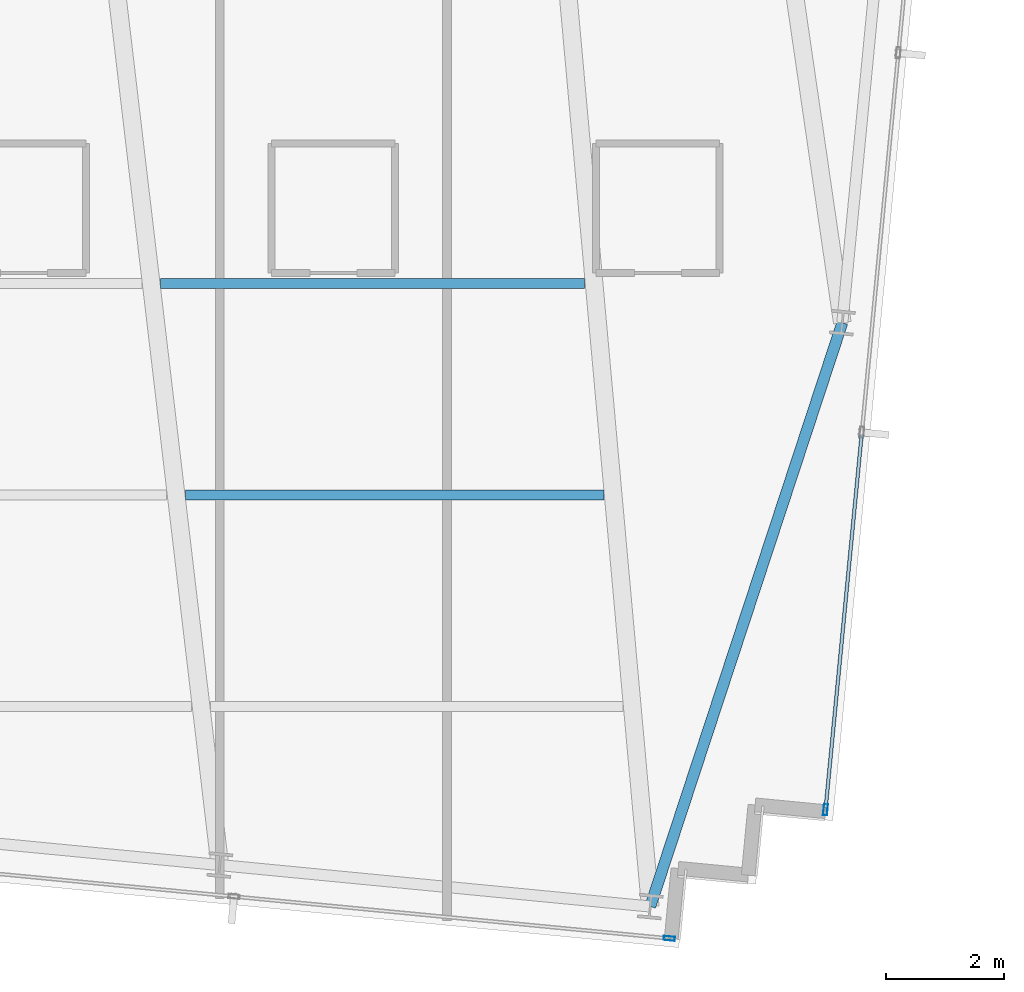
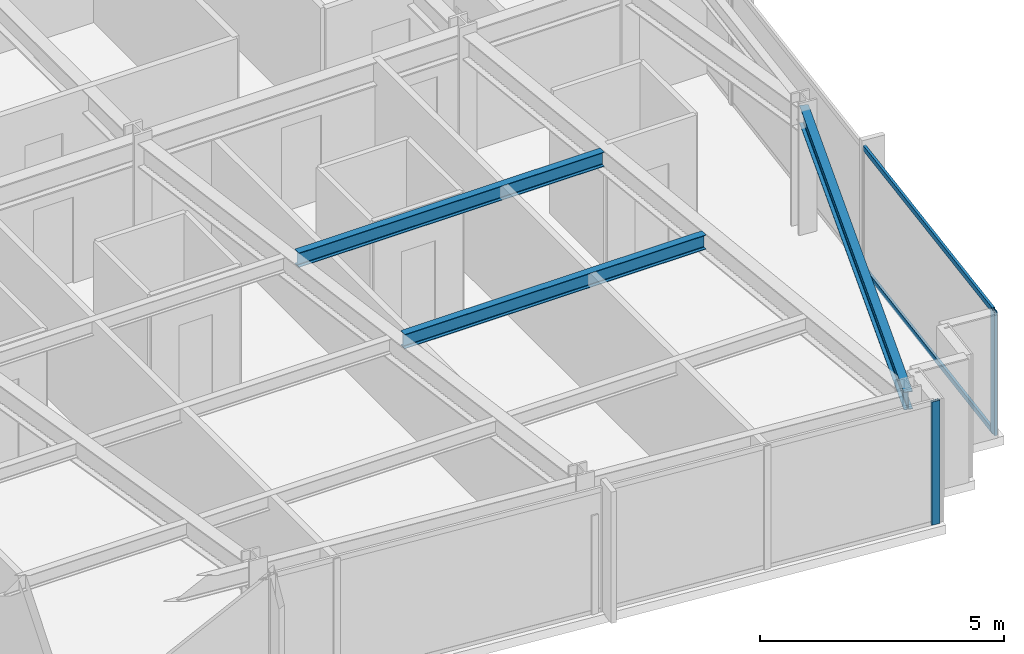
# One storey, part 14 of 38: 4 members, 3 beams, 2 elements without a shape of their own.
"""IFC4 building model written with IfcOpenShell, lengths in metres."""

from ifc_helpers import new_model, si_unit, direction, frame, origin, origin_2d, place, context, subcontext, project, spatial, hollow_rectangle, i_section, extrude, material, material_profile, profile_set, type_object, element, aggregate, save


model = new_model("IFC4")

# Units and contexts
model_context = context("Model", 3, precision=1e-05, world=origin(), true_north=direction((0.0, 1.0)))
body_context = subcontext(model_context, "Body", "Model", "MODEL_VIEW")
ifc_project = project(units=[si_unit("LENGTHUNIT", "METRE"), si_unit("AREAUNIT", "SQUARE_METRE"), si_unit("VOLUMEUNIT", "CUBIC_METRE"), si_unit("PLANEANGLEUNIT", "RADIAN"), si_unit("MASSUNIT", "GRAM", prefix="KILO")], contexts=[model_context])

# Site, building, storey
site_placement = place(None, origin())
site = spatial("IfcSite", under=ifc_project, at=site_placement, CompositionType="ELEMENT")
building_placement = place(site_placement, origin())
building = spatial("IfcBuilding", under=site, at=building_placement, Name="Yelkora Congress Tower", CompositionType="ELEMENT")
storey_placement = place(building_placement, frame((0.0, 0.0, 155.60009765625)))
storey = spatial("IfcBuildingStorey", under=building, at=storey_placement, Name="L42", CompositionType="ELEMENT", Elevation=155.60009765625)

# Beams
ifc_material_1 = material(Name="Steel S355J2", Category="steel")
ifc_material_profile_1 = material_profile(ifc_material_1, i_section(OverallWidth=0.169921875, OverallDepth=0.360107421875, WebThickness=0.008056640625, FlangeThickness=0.0126953125, FilletRadius=0.01806640625, at=origin_2d()), Name="IPE 360")
ifc_profile_set_1 = profile_set([ifc_material_profile_1], Name="Steel S355J2")
beam_type_1 = type_object("IfcBeamType", Name="BM-JOIST-IPE360", PredefinedType="JOIST", material=ifc_profile_set_1)
beam_1_placement = place(storey_placement, frame((47.27587890625, 16.421142578125, 2.89990234375), z_axis=(1.0, 0.0, 0.0), x_axis=(0.0, 1.0, 0.0)))
element("IfcBeam", 1, at=beam_1_placement, inside=storey, type_object=beam_type_1, Name="L42 Composite Floor Joist 11", PredefinedType="JOIST", context=body_context, shape_type="SweptSolid", body=[
    extrude(i_section(OverallWidth=0.169921875, OverallDepth=0.360107421875, WebThickness=0.008056640625, FlangeThickness=0.0126953125, FilletRadius=0.01806640625, at=origin_2d()), origin(), (0.0, 0.0, 1.0), 7.115234375),
])
beam_2_placement = place(storey_placement, frame((46.851318359375, 20.021240234375, 2.89990234375), z_axis=(1.0, 0.0, 0.0), x_axis=(0.0, 1.0, 0.0)))
element("IfcBeam", 2, at=beam_2_placement, inside=storey, type_object=beam_type_1, Name="L42 Composite Floor Joist 18", PredefinedType="JOIST", context=body_context, shape_type="SweptSolid", body=[
    extrude(i_section(OverallWidth=0.169921875, OverallDepth=0.360107421875, WebThickness=0.008056640625, FlangeThickness=0.0126953125, FilletRadius=0.01806640625, at=origin_2d()), origin(), (0.0, 0.0, 1.0), 7.215576171875),
])
ifc_material_profile_2 = material_profile(ifc_material_1, i_section(OverallWidth=0.18994140625, OverallDepth=0.449951171875, WebThickness=0.009521484375, FlangeThickness=0.0146484375, FilletRadius=0.02099609375, at=origin_2d()), Name="IPE 450")
ifc_profile_set_2 = profile_set([ifc_material_profile_2], Name="Steel S355J2")
beam_type_2 = type_object("IfcBeamType", Name="BM-SPAN-IPE450", PredefinedType="SPANDREL", material=ifc_profile_set_2)
beam_3_placement = place(storey_placement, frame((55.18212890625, 9.421142578125, 2.85498046875), z_axis=(0.312456737339, 0.949931990877, 0.0), x_axis=(-0.949931990877, 0.312456737339, 0.0)))
element("IfcBeam", 3, at=beam_3_placement, inside=storey, type_object=beam_type_2, Name="L42 Perimeter Beam 9", PredefinedType="SPANDREL", context=body_context, shape_type="SweptSolid", body=[
    extrude(i_section(OverallWidth=0.18994140625, OverallDepth=0.449951171875, WebThickness=0.009521484375, FlangeThickness=0.0146484375, FilletRadius=0.02099609375, at=origin_2d()), origin(), (0.0, 0.0, 1.0), 10.4560546875),
])

# Curtain wall, member
ifc_material_2 = material(Name="Anodised aluminium and insulated glass", Category="aluminium")
curtain_wall_type = type_object("IfcCurtainWallType", Name="CW-SYS-B3", PredefinedType="NOTDEFINED", material=ifc_material_2)
curtain_wall_1_placement = place(storey_placement, origin())
curtain_wall_1 = element("IfcCurtainWall", 4, at=curtain_wall_1_placement, inside=storey, type_object=curtain_wall_type, Name="L42 Unitised Curtain Wall 15", PredefinedType="NOTDEFINED")
ifc_material_3 = material(Name="Anodised aluminium 6063-T6", Category="aluminium")
ifc_material_profile_3 = material_profile(ifc_material_3, hollow_rectangle(XDim=0.070068359375, YDim=0.18994140625, WallThickness=0.00390625, at=origin_2d()), Name="ALU 70x190x4")
ifc_profile_set_3 = profile_set([ifc_material_profile_3], Name="Anodised aluminium 6063-T6")
member_type_1 = type_object("IfcMemberType", Name="MEM-ML-B3", PredefinedType="MULLION", material=ifc_profile_set_3)
member_1_placement = place(storey_placement, frame((58.163818359375, 11.068115234375, 0.0), z_axis=(0.0, 0.0, 1.0), x_axis=(0.995396565076, -0.095841944023, 0.0)))
member_1 = element("IfcMember", 5, at=member_1_placement, type_object=member_type_1, Name="CW-B3 mullion 6", PredefinedType="MULLION", context=body_context, shape_type="SweptSolid", body=[
    extrude(hollow_rectangle(XDim=0.070068359375, YDim=0.18994140625, WallThickness=0.00390625, at=origin_2d()), origin(), (0.0, 0.0, 1.0), 3.079833984375),
])

curtain_wall_2_placement = place(storey_placement, origin())
curtain_wall_2 = element("IfcCurtainWall", 6, at=curtain_wall_2_placement, inside=storey, type_object=curtain_wall_type, Name="L42 Unitised Curtain Wall 20", PredefinedType="NOTDEFINED")
member_2_placement = place(storey_placement, frame((55.506591796875, 8.877685546875, 0.0), z_axis=(0.0, 0.0, 1.0), x_axis=(-0.095844680679, -0.995396301573, 0.0)))
member_2 = element("IfcMember", 7, at=member_2_placement, type_object=member_type_1, Name="CW-B3 mullion 1", PredefinedType="MULLION", context=body_context, shape_type="SweptSolid", body=[
    extrude(hollow_rectangle(XDim=0.070068359375, YDim=0.18994140625, WallThickness=0.00390625, at=origin_2d()), origin(), (0.0, 0.0, 1.0), 3.079833984375),
])
aggregate(curtain_wall_2, [member_2])

# Member
ifc_material_profile_4 = material_profile(ifc_material_3, hollow_rectangle(XDim=0.06005859375, YDim=0.1298828125, WallThickness=0.00390625, at=origin_2d()), Name="ALU 60x130x4")
ifc_profile_set_4 = profile_set([ifc_material_profile_4], Name="Anodised aluminium 6063-T6")
member_type_2 = type_object("IfcMemberType", Name="MEM-TR-B3", PredefinedType="USERDEFINED", material=ifc_profile_set_4)
member_3_placement = place(storey_placement, frame((58.778564453125, 17.45263671875, 0.02978515625), z_axis=(-0.095869192297, -0.995393941095, 0.0), x_axis=(0.995393941095, -0.095869192297, 0.0)))
member_3 = element("IfcMember", 8, at=member_3_placement, type_object=member_type_2, Name="CW-B3 transom 5.1", ObjectType="TRANSOM", PredefinedType="USERDEFINED", context=body_context, shape_type="SweptSolid", body=[
    extrude(hollow_rectangle(XDim=0.06005859375, YDim=0.1298828125, WallThickness=0.00390625, at=origin_2d()), origin(), (0.0, 0.0, 1.0), 6.379150390625),
])

member_4_placement = place(storey_placement, frame((58.778564453125, 17.45263671875, 3.0498046875), z_axis=(-0.095869192297, -0.995393941095, 0.0), x_axis=(0.995393941095, -0.095869192297, 0.0)))
member_4 = element("IfcMember", 9, at=member_4_placement, type_object=member_type_2, Name="CW-B3 transom 5.2", ObjectType="TRANSOM", PredefinedType="USERDEFINED", context=body_context, shape_type="SweptSolid", body=[
    extrude(hollow_rectangle(XDim=0.06005859375, YDim=0.1298828125, WallThickness=0.00390625, at=origin_2d()), origin(), (0.0, 0.0, 1.0), 6.379150390625),
])

aggregate(curtain_wall_1, [member_1, member_3, member_4])

save(model, "model.ifc")
